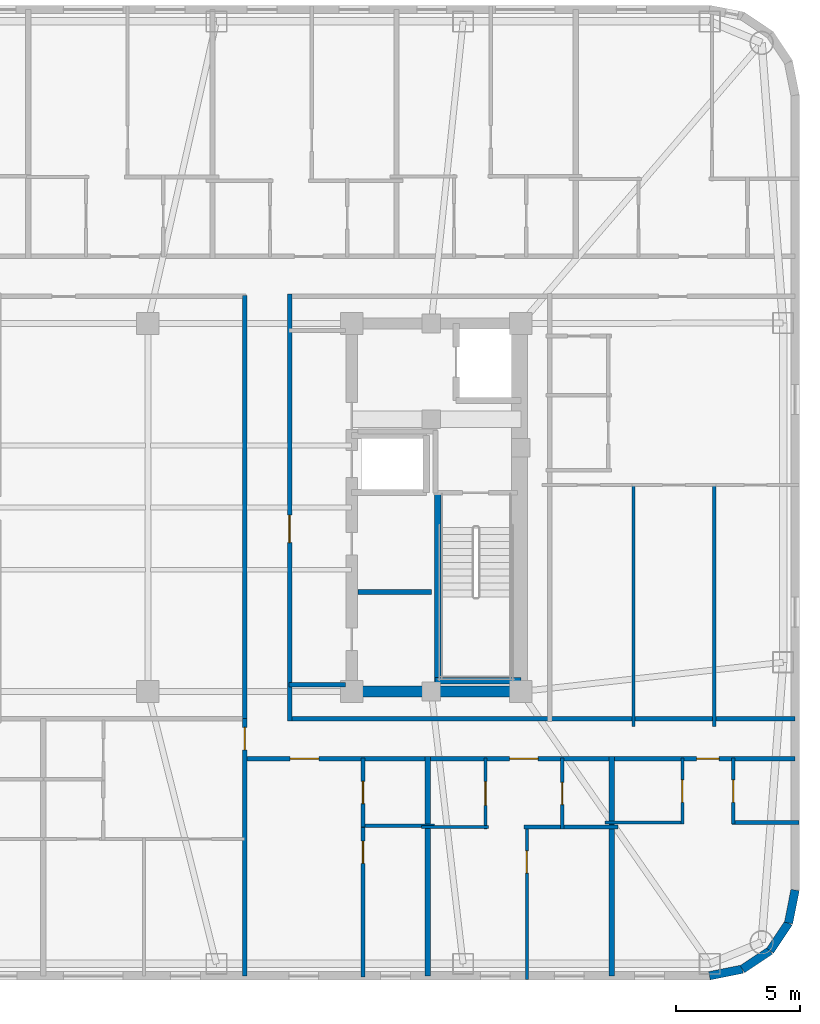
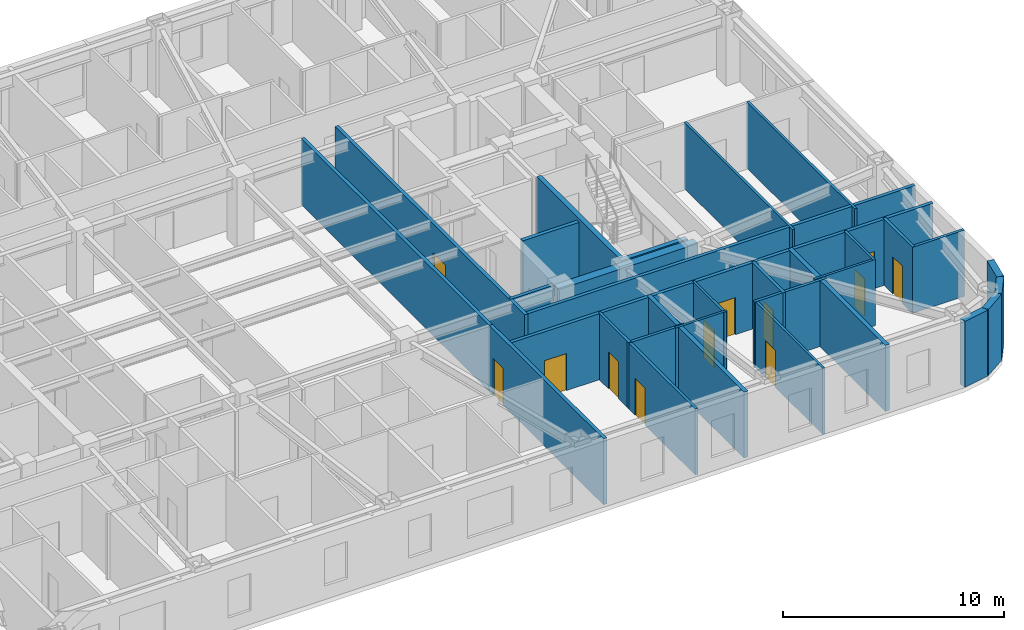
# One storey, part 6 of 11: 30 walls, 12 doors, 12 openings.
"""IFC4 building model written with IfcOpenShell, lengths in metres."""

from ifc_helpers import new_model, si_unit, direction, frame, frame_2d, origin, place, context, subcontext, project, spatial, rectangle, extrude, material, layer, layer_set, type_object, element, fill, save


model = new_model("IFC4")

# Units and contexts
model_context = context("Model", 3, precision=1e-05, world=origin(), true_north=direction((0.0, 1.0)))
body_context = subcontext(model_context, "Body", "Model", "MODEL_VIEW")
ifc_project = project(units=[si_unit("LENGTHUNIT", "METRE"), si_unit("AREAUNIT", "SQUARE_METRE"), si_unit("VOLUMEUNIT", "CUBIC_METRE"), si_unit("PLANEANGLEUNIT", "RADIAN"), si_unit("MASSUNIT", "GRAM", prefix="KILO")], contexts=[model_context])

# Site, building, storey
site_placement = place(None, origin())
site = spatial("IfcSite", under=ifc_project, at=site_placement, CompositionType="ELEMENT")
building_placement = place(site_placement, origin())
building = spatial("IfcBuilding", under=site, at=building_placement, Name="Voryun Gate Residences", CompositionType="ELEMENT")
storey_placement = place(building_placement, frame((0.0, 0.0, 235.300048828125)))
storey = spatial("IfcBuildingStorey", under=building, at=storey_placement, Name="L58", CompositionType="ELEMENT", Elevation=235.300048828125)

# Walls
ifc_material_1 = material(Name="Concrete C50/60", Category="concrete")
ifc_layer_1 = layer(ifc_material_1, 0.449951171875, Name="CW_CORE_450")
ifc_layer_set_1 = layer_set([ifc_layer_1], Name="Concrete C50/60")
wall_type_1 = type_object("IfcWallType", Name="CW_CORE_450", PredefinedType="SHEAR", material=ifc_layer_set_1)
wall_1_placement = place(storey_placement, frame((12.175048828125, -7.39990234375, 0.0), z_axis=(0.0, 0.0, 1.0), x_axis=(1.0, 0.0, 0.0)))
element("IfcWall", 1, at=wall_1_placement, inside=storey, type_object=wall_type_1, Name="L58 Core shear wall CW-L58-ES", PredefinedType="SHEAR", context=body_context, shape_type="SweptSolid", body=[
    extrude(rectangle(XDim=7.25, YDim=0.449951171875, at=frame_2d((3.625, 0.0))), origin(), (0.0, 0.0, 1.0), 3.64990234375),
])
ifc_material_2 = material(Name="Gypsum acoustic fireboard")
ifc_layer_2 = layer(ifc_material_2, 0.179931640625, Name="W_CORR_RATED_180")
ifc_layer_set_2 = layer_set([ifc_layer_2], Name="Gypsum acoustic fireboard")
wall_type_2 = type_object("IfcWallType", Name="W_CORR_RATED_180", PredefinedType="PARTITIONING", material=ifc_layer_set_2)
wall_2_placement = place(storey_placement, frame((9.8798828125, -7.1201171875, 0.0), z_axis=(0.0, 0.0, 1.0), x_axis=(1.0, 0.0, 0.0)))
element("IfcWall", 2, at=wall_2_placement, inside=storey, type_object=wall_type_2, Name="Partition wall WP-L58-PLBS-E", PredefinedType="PARTITIONING", context=body_context, shape_type="SweptSolid", body=[
    extrude(rectangle(XDim=2.27001953125, YDim=0.179931640625, at=frame_2d((1.135009765625, 0.0))), origin(), (0.0, 0.0, 1.0), 3.64990234375),
])

# Wall, opening, door
wall_3_placement = place(storey_placement, frame((9.89990234375, -8.580078125, 0.0), z_axis=(0.0, 0.0, 1.0), x_axis=(0.0, 1.0, 0.0)))
wall_3 = element("IfcWall", 3, at=wall_3_placement, inside=storey, type_object=wall_type_2, Name="Partition wall WP-L58-PLBE-FULL", PredefinedType="PARTITIONING", context=body_context, shape_type="SweptSolid", body=[
    extrude(rectangle(XDim=17.16015625, YDim=0.179931640625, at=frame_2d((8.580078125, 0.0))), origin(), (0.0, 0.0, 1.0), 3.64990234375),
])
opening_1_placement = place(wall_3_placement, frame((7.172119140625, 0.0, 0.0)))
opening_1 = element("IfcOpeningElement", 4, at=opening_1_placement, cuts=wall_3, Name="Opening D-FD60-2", PredefinedType="OPENING", context=body_context, shape_type="SweptSolid", body=[
    extrude(rectangle(XDim=1.10009765625, YDim=2.050048828125, at=frame_2d((0.550048828125, 1.02490234375))), frame((0.0, 0.099853515625, 0.0), z_axis=(0.0, -1.0, 0.0), x_axis=(1.0, 0.0, 0.0)), (0.0, 0.0, 1.0), 0.199951171875),
])
ifc_material_3 = material(Name="Painted steel fire door", Category="steel")
door_type_1 = type_object("IfcDoorType", Name="DR_FD60_FFLOB_1100", OperationType="NOTDEFINED", PredefinedType="DOOR", material=ifc_material_3)
door_1_placement = place(opening_1_placement, origin())
door_1 = element("IfcDoor", 5, at=door_1_placement, inside=storey, type_object=door_type_1, Name="Door DR-L58-PLBE-COR", OperationType="SINGLE_SWING_RIGHT", OverallHeight=2.050048828125, OverallWidth=1.10009765625, PredefinedType="DOOR", context=body_context, shape_type="SweptSolid", body=[
    extrude(rectangle(XDim=1.10009765625, YDim=2.050048828125, at=frame_2d((0.550048828125, 1.02490234375))), frame((0.0, 0.02490234375, 0.0), z_axis=(0.0, -1.0, 0.0), x_axis=(1.0, 0.0, 0.0)), (0.0, 0.0, 1.0), 0.050048828125),
])
fill(opening_1, door_1)

# Walls
wall_4_placement = place(storey_placement, frame((9.8798828125, -8.489990234375, 0.0), z_axis=(0.0, 0.0, 1.0), x_axis=(1.0, 0.0, 0.0)))
element("IfcWall", 6, at=wall_4_placement, inside=storey, type_object=wall_type_2, Name="Partition wall WP-L58-CWING-ES", PredefinedType="PARTITIONING", context=body_context, shape_type="SweptSolid", body=[
    extrude(rectangle(XDim=20.35009765625, YDim=0.179931640625, at=frame_2d((10.175048828125, 0.0))), origin(), (0.0, 0.0, 1.0), 3.64990234375),
])
wall_5_placement = place(storey_placement, frame((8.10009765625, -8.530029296875, 0.0), z_axis=(0.0, 0.0, 1.0), x_axis=(0.0, 1.0, 0.0)))
element("IfcWall", 7, at=wall_5_placement, inside=storey, type_object=wall_type_2, Name="Partition wall WP-L58-Z3E", PredefinedType="PARTITIONING", context=body_context, shape_type="SweptSolid", body=[
    extrude(rectangle(XDim=17.06005859375, YDim=0.179931640625, at=frame_2d((8.530029296875, 0.0))), origin(), (0.0, 0.0, 1.0), 3.64990234375),
])

# Wall, openings, doors
wall_6_placement = place(storey_placement, frame((8.080078125, -10.10009765625, 0.0), z_axis=(0.0, 0.0, 1.0), x_axis=(1.0, 0.0, 0.0)))
wall_6 = element("IfcWall", 8, at=wall_6_placement, inside=storey, type_object=wall_type_2, Name="Partition wall WP-L58-SCORR-E", PredefinedType="PARTITIONING", context=body_context, shape_type="SweptSolid", body=[
    extrude(rectangle(XDim=22.14990234375, YDim=0.179931640625, at=frame_2d((11.074951171875, 0.0))), origin(), (0.0, 0.0, 1.0), 3.64990234375),
])
opening_2_placement = place(wall_6_placement, frame((1.84375, 0.0, 0.0)))
opening_2 = element("IfcOpeningElement", 9, at=opening_2_placement, cuts=wall_6, Name="Opening D-UNIT-1", PredefinedType="OPENING", context=body_context, shape_type="SweptSolid", body=[
    extrude(rectangle(XDim=1.14990234375, YDim=2.050048828125, at=frame_2d((0.574951171875, 1.02490234375))), frame((0.0, 0.099853515625, 0.0), z_axis=(0.0, -1.0, 0.0), x_axis=(1.0, 0.0, 0.0)), (0.0, 0.0, 1.0), 0.199951171875),
])
opening_3_placement = place(wall_6_placement, frame((10.668212890625, 0.0, 0.0)))
opening_3 = element("IfcOpeningElement", 10, at=opening_3_placement, cuts=wall_6, Name="Opening D-UNIT-1", PredefinedType="OPENING", context=body_context, shape_type="SweptSolid", body=[
    extrude(rectangle(XDim=1.14990234375, YDim=2.050048828125, at=frame_2d((0.574951171875, 1.02490234375))), frame((0.0, 0.099853515625, 0.0), z_axis=(0.0, -1.0, 0.0), x_axis=(1.0, 0.0, 0.0)), (0.0, 0.0, 1.0), 0.199951171875),
])
opening_4_placement = place(wall_6_placement, frame((18.19140625, 0.0, 0.0)))
opening_4 = element("IfcOpeningElement", 11, at=opening_4_placement, cuts=wall_6, Name="Opening D-INT-2", PredefinedType="OPENING", context=body_context, shape_type="SweptSolid", body=[
    extrude(rectangle(XDim=0.89990234375, YDim=2.050048828125, at=frame_2d((0.449951171875, 1.02490234375))), frame((0.0, 0.099853515625, 0.0), z_axis=(0.0, -1.0, 0.0), x_axis=(1.0, 0.0, 0.0)), (0.0, 0.0, 1.0), 0.199951171875),
])
ifc_material_4 = material(Name="Architectural oak veneer")
door_type_2 = type_object("IfcDoorType", Name="DR_INT_BATH_900", OperationType="NOTDEFINED", PredefinedType="DOOR", material=ifc_material_4)
door_2_placement = place(opening_4_placement, origin())
door_2 = element("IfcDoor", 12, at=door_2_placement, inside=storey, type_object=door_type_2, Name="Door DR-L58-SENT-7", OperationType="SINGLE_SWING_RIGHT", OverallHeight=2.050048828125, OverallWidth=0.89990234375, PredefinedType="DOOR", context=body_context, shape_type="SweptSolid", body=[
    extrude(rectangle(XDim=0.89990234375, YDim=2.050048828125, at=frame_2d((0.449951171875, 1.02490234375))), frame((0.0, 0.02490234375, 0.0), z_axis=(0.0, -1.0, 0.0), x_axis=(1.0, 0.0, 0.0)), (0.0, 0.0, 1.0), 0.050048828125),
])
fill(opening_4, door_2)
ifc_material_5 = material(Name="Armoured timber-clad fire door", Category="wood")
door_type_3 = type_object("IfcDoorType", Name="DR_UNIT_ENTRY_1150", OperationType="NOTDEFINED", PredefinedType="DOOR", material=ifc_material_5)
door_3_placement = place(opening_2_placement, origin())
door_3 = element("IfcDoor", 13, at=door_3_placement, inside=storey, type_object=door_type_3, Name="Door DR-L58-SENT-5", OperationType="SINGLE_SWING_RIGHT", OverallHeight=2.050048828125, OverallWidth=1.14990234375, PredefinedType="DOOR", context=body_context, shape_type="SweptSolid", body=[
    extrude(rectangle(XDim=1.14990234375, YDim=2.050048828125, at=frame_2d((0.574951171875, 1.02490234375))), frame((0.0, 0.02490234375, 0.0), z_axis=(0.0, -1.0, 0.0), x_axis=(1.0, 0.0, 0.0)), (0.0, 0.0, 1.0), 0.050048828125),
])
fill(opening_2, door_3)
door_4_placement = place(opening_3_placement, origin())
door_4 = element("IfcDoor", 14, at=door_4_placement, inside=storey, type_object=door_type_3, Name="Door DR-L58-SENT-6", OperationType="SINGLE_SWING_LEFT", OverallHeight=2.050048828125, OverallWidth=1.14990234375, PredefinedType="DOOR", context=body_context, shape_type="SweptSolid", body=[
    extrude(rectangle(XDim=1.14990234375, YDim=2.050048828125, at=frame_2d((0.574951171875, 1.02490234375))), frame((0.0, 0.02490234375, 0.0), z_axis=(0.0, -1.0, 0.0), x_axis=(1.0, 0.0, 0.0)), (0.0, 0.0, 1.0), 0.050048828125),
])
fill(opening_3, door_4)

# Wall, opening, door
wall_7_placement = place(storey_placement, frame((8.10009765625, -18.830078125, 0.0), z_axis=(0.0, 0.0, 1.0), x_axis=(0.0, 1.0, 0.0)))
wall_7 = element("IfcWall", 15, at=wall_7_placement, inside=storey, type_object=wall_type_2, Name="Partition wall WP-L58-SZV-2", PredefinedType="PARTITIONING", context=body_context, shape_type="SweptSolid", body=[
    extrude(rectangle(XDim=10.340087890625, YDim=0.179931640625, at=frame_2d((5.169921875, 0.0))), origin(), (0.0, 0.0, 1.0), 3.64990234375),
])
opening_5_placement = place(wall_7_placement, frame((9.089599609375, 0.0, 0.0)))
opening_5 = element("IfcOpeningElement", 16, at=opening_5_placement, cuts=wall_7, Name="Opening D-INT-2", PredefinedType="OPENING", context=body_context, shape_type="SweptSolid", body=[
    extrude(rectangle(XDim=0.89990234375, YDim=2.050048828125, at=frame_2d((0.449951171875, 1.02490234375))), frame((0.0, 0.099853515625, 0.0), z_axis=(0.0, -1.0, 0.0), x_axis=(1.0, 0.0, 0.0)), (0.0, 0.0, 1.0), 0.199951171875),
])
door_5_placement = place(opening_5_placement, origin())
door_5 = element("IfcDoor", 17, at=door_5_placement, inside=storey, type_object=door_type_2, Name="Door DR-L58-SZENT-2", OperationType="SINGLE_SWING_RIGHT", OverallHeight=2.050048828125, OverallWidth=0.89990234375, PredefinedType="DOOR", context=body_context, shape_type="SweptSolid", body=[
    extrude(rectangle(XDim=0.89990234375, YDim=2.050048828125, at=frame_2d((0.449951171875, 1.02490234375))), frame((0.0, 0.02490234375, 0.0), z_axis=(0.0, -1.0, 0.0), x_axis=(1.0, 0.0, 0.0)), (0.0, 0.0, 1.0), 0.050048828125),
])
fill(opening_5, door_5)

# Walls
ifc_material_6 = material(Name="Charcoal terracotta masonry", Category="masonry")
ifc_layer_3 = layer(ifc_material_6, 0.340087890625, Name="W_EXT_TERRACOTTA_340")
ifc_layer_set_3 = layer_set([ifc_layer_3], Name="Charcoal terracotta masonry")
wall_type_3 = type_object("IfcWallType", Name="W_EXT_TERRACOTTA_340", PredefinedType="ELEMENTEDWALL", material=ifc_layer_set_3)
wall_8_placement = place(storey_placement, frame((30.22998046875, -15.38330078125, 0.0), z_axis=(0.0, 0.0, 1.0), x_axis=(-0.195110379894, -0.98078129043, 0.0)))
element("IfcWall", 18, at=wall_8_placement, inside=storey, type_object=wall_type_3, Name="Exterior wall WEXT-L58-17", PredefinedType="ELEMENTEDWALL", context=body_context, shape_type="SweptSolid", body=[
    extrude(rectangle(XDim=1.35400390625, YDim=0.340087890625, at=frame_2d((0.677001953125, 0.0))), origin(), (0.0, 0.0, 1.0), 3.64990234375),
])
wall_9_placement = place(storey_placement, frame((29.9658203125, -16.711181640625, 0.0), z_axis=(0.0, 0.0, 1.0), x_axis=(-0.555584683399, -0.831459956686, 0.0)))
element("IfcWall", 19, at=wall_9_placement, inside=storey, type_object=wall_type_3, Name="Exterior wall WEXT-L58-18", PredefinedType="ELEMENTEDWALL", context=body_context, shape_type="SweptSolid", body=[
    extrude(rectangle(XDim=1.337158203125, YDim=0.340087890625, at=frame_2d((0.66845703125, 0.0))), origin(), (0.0, 0.0, 1.0), 3.64990234375),
])
wall_10_placement = place(storey_placement, frame((29.222900390625, -17.822998046875, 0.0), z_axis=(0.0, 0.0, 1.0), x_axis=(-0.831403586725, -0.555669034571, 0.0)))
element("IfcWall", 20, at=wall_10_placement, inside=storey, type_object=wall_type_3, Name="Exterior wall WEXT-L58-19", PredefinedType="ELEMENTEDWALL", context=body_context, shape_type="SweptSolid", body=[
    extrude(rectangle(XDim=1.3369140625, YDim=0.340087890625, at=frame_2d((0.66845703125, 0.0))), origin(), (0.0, 0.0, 1.0), 3.64990234375),
])
wall_11_placement = place(storey_placement, frame((28.111328125, -18.56591796875, 0.0), z_axis=(0.0, 0.0, 1.0), x_axis=(-0.980788153188, -0.195075878998, 0.0)))
element("IfcWall", 21, at=wall_11_placement, inside=storey, type_object=wall_type_3, Name="Exterior wall WEXT-L58-20", PredefinedType="ELEMENTEDWALL", context=body_context, shape_type="SweptSolid", body=[
    extrude(rectangle(XDim=1.354248046875, YDim=0.340087890625, at=frame_2d((0.67724609375, 0.0))), origin(), (0.0, 0.0, 1.0), 3.64990234375),
])
ifc_material_7 = material(Name="Concrete C40/50", Category="concrete")
ifc_layer_4 = layer(ifc_material_7, 0.199951171875, Name="W_FF_LOBBY_200")
ifc_layer_set_4 = layer_set([ifc_layer_4], Name="Concrete C40/50")
wall_type_4 = type_object("IfcWallType", Name="W_FF_LOBBY_200", PredefinedType="PARTITIONING", material=ifc_layer_set_4)
wall_12_placement = place(storey_placement, frame((12.659912109375, -3.389892578125, 0.0), z_axis=(0.0, 0.0, 1.0), x_axis=(1.0, 0.0, 0.0)))
element("IfcWall", 22, at=wall_12_placement, inside=storey, type_object=wall_type_4, Name="Partition wall WP-L58-RECEY-HI", PredefinedType="PARTITIONING", context=body_context, shape_type="SweptSolid", body=[
    extrude(rectangle(XDim=2.940185546875, YDim=0.199951171875, at=frame_2d((1.47021484375, 0.0))), origin(), (0.0, 0.0, 1.0), 3.64990234375),
])
ifc_material_8 = material(Name="Concrete C40/50", Category="concrete")
ifc_layer_5 = layer(ifc_material_8, 0.219970703125, Name="W_PARTY_ACOUSTIC_220")
ifc_layer_set_5 = layer_set([ifc_layer_5], Name="Concrete C40/50")
wall_type_5 = type_object("IfcWallType", Name="W_PARTY_ACOUSTIC_220", PredefinedType="PARTITIONING", material=ifc_layer_set_5)
for number, where, z_axis, x_axis, name in (
    (23, (15.466064453125, -18.830078125, 0.0), (0.0, 0.0, 1.0), (0.0, 1.0, 0.0), "Partition wall WP-L58-SPTY-5"),
    (24, (22.85107421875, -18.830078125, 0.0), (0.0, 0.0, 1.0), (0.0, 1.0, 0.0), "Partition wall WP-L58-SPTY-6"),
):
    element("IfcWall", number, at=place(storey_placement, frame(where, z_axis=z_axis, x_axis=x_axis)), inside=storey, type_object=wall_type_5, Name=name, PredefinedType="PARTITIONING", context=body_context, shape_type="SweptSolid", body=[
        extrude(rectangle(XDim=8.81005859375, YDim=0.219970703125, at=frame_2d((4.405029296875, 0.0))), origin(), (0.0, 0.0, 1.0), 3.64990234375),
    ])
ifc_material_9 = material(Name="Concrete C50/60", Category="concrete")
ifc_layer_6 = layer(ifc_material_9, 0.25, Name="W_SHAFT_RC250")
ifc_layer_set_6 = layer_set([ifc_layer_6], Name="Concrete C50/60")
wall_type_6 = type_object("IfcWallType", Name="W_SHAFT_RC250", PredefinedType="SOLIDWALL", material=ifc_layer_set_6)
wall_13_placement = place(storey_placement, frame((15.860107421875, -7.0849609375, 0.0), z_axis=(0.0, 0.0, 1.0), x_axis=(0.0, 1.0, 0.0)))
element("IfcWall", 25, at=wall_13_placement, inside=storey, type_object=wall_type_6, Name="L58 Stair shaft structural wall E-STL", PredefinedType="SOLIDWALL", context=body_context, shape_type="SweptSolid", body=[
    extrude(rectangle(XDim=7.68505859375, YDim=0.25, at=frame_2d((3.842529296875, 0.0))), origin(), (0.0, 0.0, 1.0), 3.64990234375),
])
wall_14_placement = place(storey_placement, frame((15.739990234375, -6.965087890625, 0.0), z_axis=(0.0, 0.0, 1.0), x_axis=(1.0, 0.0, 0.0)))
element("IfcWall", 26, at=wall_14_placement, inside=storey, type_object=wall_type_6, Name="L58 Stair shaft structural wall E-STS", PredefinedType="SOLIDWALL", context=body_context, shape_type="SweptSolid", body=[
    extrude(rectangle(XDim=3.4599609375, YDim=0.25, at=frame_2d((1.72998046875, 0.0))), origin(), (0.0, 0.0, 1.0), 3.64990234375),
])

# Wall, opening, door
ifc_material_10 = material(Name="Gypsum acoustic partition")
ifc_layer_7 = layer(ifc_material_10, 0.125, Name="W_UNIT_PART_125")
ifc_layer_set_7 = layer_set([ifc_layer_7], Name="Gypsum acoustic partition")
wall_type_7 = type_object("IfcWallType", Name="W_UNIT_PART_125", PredefinedType="PARTITIONING", material=ifc_layer_set_7)
wall_15_placement = place(storey_placement, frame((19.44091796875, -18.97998046875, 0.0), z_axis=(0.0, 0.0, 1.0), x_axis=(0.0, 1.0, 0.0)))
wall_15 = element("IfcWall", 27, at=wall_15_placement, inside=storey, type_object=wall_type_7, Name="Partition wall WP-L58-S6-OVR", PredefinedType="PARTITIONING", context=body_context, shape_type="SweptSolid", body=[
    extrude(rectangle(XDim=6.216064453125, YDim=0.125, at=frame_2d((3.10791015625, 0.0))), origin(), (0.0, 0.0, 1.0), 3.64990234375),
])
opening_6_placement = place(wall_15_placement, frame((4.274169921875, 0.0, 0.0)))
opening_6 = element("IfcOpeningElement", 28, at=opening_6_placement, cuts=wall_15, Name="Opening D-INT-2", PredefinedType="OPENING", context=body_context, shape_type="SweptSolid", body=[
    extrude(rectangle(XDim=0.89990234375, YDim=2.050048828125, at=frame_2d((0.449951171875, 1.02490234375))), frame((0.0, 0.072509765625, 0.0), z_axis=(0.0, -1.0, 0.0), x_axis=(1.0, 0.0, 0.0)), (0.0, 0.0, 1.0), 0.14501953125),
])
door_6_placement = place(opening_6_placement, origin())
door_6 = element("IfcDoor", 29, at=door_6_placement, inside=storey, type_object=door_type_2, Name="Door DR-L58-S6-DMB", OperationType="SINGLE_SWING_RIGHT", OverallHeight=2.050048828125, OverallWidth=0.89990234375, PredefinedType="DOOR", context=body_context, shape_type="SweptSolid", body=[
    extrude(rectangle(XDim=0.89990234375, YDim=2.050048828125, at=frame_2d((0.449951171875, 1.02490234375))), frame((0.0, 0.02490234375, 0.0), z_axis=(0.0, -1.0, 0.0), x_axis=(1.0, 0.0, 0.0)), (0.0, 0.0, 1.0), 0.050048828125),
])
fill(opening_6, door_6)

wall_16_placement = place(storey_placement, frame((17.77587890625, -12.924072265625, 0.0), z_axis=(0.0, 0.0, 1.0), x_axis=(0.0, 1.0, 0.0)))
wall_16 = element("IfcWall", 30, at=wall_16_placement, inside=storey, type_object=wall_type_7, Name="Partition wall WP-L58-S6-IVK", PredefinedType="PARTITIONING", context=body_context, shape_type="SweptSolid", body=[
    extrude(rectangle(XDim=2.843994140625, YDim=0.125, at=frame_2d((1.421875, 0.0))), origin(), (0.0, 0.0, 1.0), 3.64990234375),
])
opening_7_placement = place(wall_16_placement, frame((0.947021484375, 0.0, 0.0)))
opening_7 = element("IfcOpeningElement", 31, at=opening_7_placement, cuts=wall_16, Name="Opening D-INT-1", PredefinedType="OPENING", context=body_context, shape_type="SweptSolid", body=[
    extrude(rectangle(XDim=0.949951171875, YDim=2.050048828125, at=frame_2d((0.47509765625, 1.02490234375))), frame((0.0, 0.072509765625, 0.0), z_axis=(0.0, -1.0, 0.0), x_axis=(1.0, 0.0, 0.0)), (0.0, 0.0, 1.0), 0.14501953125),
])
ifc_material_11 = material(Name="Architectural oak veneer")
door_type_4 = type_object("IfcDoorType", Name="DR_INT_ROOM_950", OperationType="NOTDEFINED", PredefinedType="DOOR", material=ifc_material_11)
door_7_placement = place(opening_7_placement, origin())
door_7 = element("IfcDoor", 32, at=door_7_placement, inside=storey, type_object=door_type_4, Name="Door DR-L58-S6-DK", OperationType="SINGLE_SWING_LEFT", OverallHeight=2.050048828125, OverallWidth=0.949951171875, PredefinedType="DOOR", context=body_context, shape_type="SweptSolid", body=[
    extrude(rectangle(XDim=0.949951171875, YDim=2.050048828125, at=frame_2d((0.47509765625, 1.02490234375))), frame((0.0, 0.02490234375, 0.0), z_axis=(0.0, -1.0, 0.0), x_axis=(1.0, 0.0, 0.0)), (0.0, 0.0, 1.0), 0.050048828125),
])
fill(opening_7, door_7)

# Wall
wall_17_placement = place(storey_placement, frame((15.2060546875, -12.843994140625, 0.0), z_axis=(0.0, 0.0, 1.0), x_axis=(1.0, 0.0, 0.0)))
element("IfcWall", 33, at=wall_17_placement, inside=storey, type_object=wall_type_7, Name="Partition wall WP-L58-S6-HZK", PredefinedType="PARTITIONING", context=body_context, shape_type="SweptSolid", body=[
    extrude(rectangle(XDim=2.68994140625, YDim=0.125, at=frame_2d((1.344970703125, 0.0))), origin(), (0.0, 0.0, 1.0), 3.64990234375),
])

# Wall, opening, door
wall_18_placement = place(storey_placement, frame((25.695068359375, -12.72998046875, 0.0), z_axis=(0.0, 0.0, 1.0), x_axis=(0.0, 1.0, 0.0)))
wall_18 = element("IfcWall", 34, at=wall_18_placement, inside=storey, type_object=wall_type_7, Name="Partition wall WP-L58-S7-CVK", PredefinedType="PARTITIONING", context=body_context, shape_type="SweptSolid", body=[
    extrude(rectangle(XDim=2.64990234375, YDim=0.125, at=frame_2d((1.324951171875, 0.0))), origin(), (0.0, 0.0, 1.0), 3.64990234375),
])
opening_8_placement = place(wall_18_placement, frame((0.875, 0.0, 0.0)))
opening_8 = element("IfcOpeningElement", 35, at=opening_8_placement, cuts=wall_18, Name="Opening D-INT-2", PredefinedType="OPENING", context=body_context, shape_type="SweptSolid", body=[
    extrude(rectangle(XDim=0.89990234375, YDim=2.050048828125, at=frame_2d((0.449951171875, 1.02490234375))), frame((0.0, 0.072509765625, 0.0), z_axis=(0.0, -1.0, 0.0), x_axis=(1.0, 0.0, 0.0)), (0.0, 0.0, 1.0), 0.14501953125),
])
door_8_placement = place(opening_8_placement, origin())
door_8 = element("IfcDoor", 36, at=door_8_placement, inside=storey, type_object=door_type_2, Name="Door DR-L58-S7-DK", OperationType="SINGLE_SWING_LEFT", OverallHeight=2.050048828125, OverallWidth=0.89990234375, PredefinedType="DOOR", context=body_context, shape_type="SweptSolid", body=[
    extrude(rectangle(XDim=0.89990234375, YDim=2.050048828125, at=frame_2d((0.449951171875, 1.02490234375))), frame((0.0, 0.02490234375, 0.0), z_axis=(0.0, -1.0, 0.0), x_axis=(1.0, 0.0, 0.0)), (0.0, 0.0, 1.0), 0.050048828125),
])
fill(opening_8, door_8)

# Walls
wall_19_placement = place(storey_placement, frame((22.591064453125, -12.669921875, 0.0), z_axis=(0.0, 0.0, 1.0), x_axis=(1.0, 0.0, 0.0)))
element("IfcWall", 37, at=wall_19_placement, inside=storey, type_object=wall_type_7, Name="Partition wall WP-L58-S7-CHK", PredefinedType="PARTITIONING", context=body_context, shape_type="SweptSolid", body=[
    extrude(rectangle(XDim=3.163818359375, YDim=0.125, at=frame_2d((1.58203125, 0.0))), origin(), (0.0, 0.0, 1.0), 3.64990234375),
])
for number, where, z_axis, x_axis, name in (
    (38, (26.98095703125, -8.81005859375, 0.0), (0.0, 0.0, 1.0), (0.0, 1.0, 0.0), "Partition wall WP-L58-E1-VMB2"),
    (39, (23.72509765625, -8.81005859375, 0.0), (0.0, 0.0, 1.0), (0.0, 1.0, 0.0), "Partition wall WP-L58-E1-VMB"),
):
    element("IfcWall", number, at=place(storey_placement, frame(where, z_axis=z_axis, x_axis=x_axis)), inside=storey, type_object=wall_type_7, Name=name, PredefinedType="PARTITIONING", context=body_context, shape_type="SweptSolid", body=[
        extrude(rectangle(XDim=9.780029296875, YDim=0.125, at=frame_2d((4.89013671875, 0.0))), origin(), (0.0, 0.0, 1.0), 3.64990234375),
    ])
ifc_material_12 = material(Name="Gypsum moisture-resistant partition")
ifc_layer_8 = layer(ifc_material_12, 0.14990234375, Name="W_WET_PLUMB_150")
ifc_layer_set_8 = layer_set([ifc_layer_8], Name="Gypsum moisture-resistant partition")
wall_type_8 = type_object("IfcWallType", Name="W_WET_PLUMB_150", PredefinedType="PLUMBINGWALL", material=ifc_layer_set_8)
wall_20_placement = place(storey_placement, frame((12.77587890625, -12.800048828125, 0.0), z_axis=(0.0, 0.0, 1.0), x_axis=(1.0, 0.0, 0.0)))
element("IfcWall", 40, at=wall_20_placement, inside=storey, type_object=wall_type_8, Name="Partition wall WP-L58-S5-SKB", PredefinedType="PLUMBINGWALL", context=body_context, shape_type="SweptSolid", body=[
    extrude(rectangle(XDim=2.9501953125, YDim=0.14990234375, at=frame_2d((1.47509765625, 0.0))), origin(), (0.0, 0.0, 1.0), 3.64990234375),
])

# Wall, opening, door
wall_21_placement = place(storey_placement, frame((12.85595703125, -18.876708984375, 0.0), z_axis=(0.0, 0.0, 1.0), x_axis=(0.0, 1.0, 0.0)))
wall_21 = element("IfcWall", 41, at=wall_21_placement, inside=storey, type_object=wall_type_8, Name="Partition wall WP-L58-S5-SVT1", PredefinedType="PLUMBINGWALL", context=body_context, shape_type="SweptSolid", body=[
    extrude(rectangle(XDim=6.11669921875, YDim=0.14990234375, at=frame_2d((3.058349609375, 0.0))), origin(), (0.0, 0.0, 1.0), 3.64990234375),
])
opening_9_placement = place(wall_21_placement, frame((4.56591796875, 0.0, 0.0)))
opening_9 = element("IfcOpeningElement", 42, at=opening_9_placement, cuts=wall_21, Name="Opening D-INT-2", PredefinedType="OPENING", context=body_context, shape_type="SweptSolid", body=[
    extrude(rectangle(XDim=0.89990234375, YDim=2.050048828125, at=frame_2d((0.449951171875, 1.02490234375))), frame((0.0, 0.0849609375, 0.0), z_axis=(0.0, -1.0, 0.0), x_axis=(1.0, 0.0, 0.0)), (0.0, 0.0, 1.0), 0.169921875),
])
door_9_placement = place(opening_9_placement, origin())
door_9 = element("IfcDoor", 43, at=door_9_placement, inside=storey, type_object=door_type_2, Name="Door DR-L58-S5-DK", OperationType="SINGLE_SWING_LEFT", OverallHeight=2.050048828125, OverallWidth=0.89990234375, PredefinedType="DOOR", context=body_context, shape_type="SweptSolid", body=[
    extrude(rectangle(XDim=0.89990234375, YDim=2.050048828125, at=frame_2d((0.449951171875, 1.02490234375))), frame((0.0, 0.02490234375, 0.0), z_axis=(0.0, -1.0, 0.0), x_axis=(1.0, 0.0, 0.0)), (0.0, 0.0, 1.0), 0.050048828125),
])
fill(opening_9, door_9)

wall_22_placement = place(storey_placement, frame((12.85595703125, -12.840087890625, 0.0), z_axis=(0.0, 0.0, 1.0), x_axis=(0.0, 1.0, 0.0)))
wall_22 = element("IfcWall", 44, at=wall_22_placement, inside=storey, type_object=wall_type_8, Name="Partition wall WP-L58-S5-SVT2", PredefinedType="PLUMBINGWALL", context=body_context, shape_type="SweptSolid", body=[
    extrude(rectangle(XDim=2.760009765625, YDim=0.14990234375, at=frame_2d((1.3798828125, 0.0))), origin(), (0.0, 0.0, 1.0), 3.64990234375),
])
opening_10_placement = place(wall_22_placement, frame((0.929931640625, 0.0, 0.0)))
opening_10 = element("IfcOpeningElement", 45, at=opening_10_placement, cuts=wall_22, Name="Opening D-INT-2", PredefinedType="OPENING", context=body_context, shape_type="SweptSolid", body=[
    extrude(rectangle(XDim=0.89990234375, YDim=2.050048828125, at=frame_2d((0.449951171875, 1.02490234375))), frame((0.0, 0.0849609375, 0.0), z_axis=(0.0, -1.0, 0.0), x_axis=(1.0, 0.0, 0.0)), (0.0, 0.0, 1.0), 0.169921875),
])
door_10_placement = place(opening_10_placement, origin())
door_10 = element("IfcDoor", 46, at=door_10_placement, inside=storey, type_object=door_type_2, Name="Door DR-L58-S5-DB", OperationType="SINGLE_SWING_RIGHT", OverallHeight=2.050048828125, OverallWidth=0.89990234375, PredefinedType="DOOR", context=body_context, shape_type="SweptSolid", body=[
    extrude(rectangle(XDim=0.89990234375, YDim=2.050048828125, at=frame_2d((0.449951171875, 1.02490234375))), frame((0.0, 0.02490234375, 0.0), z_axis=(0.0, -1.0, 0.0), x_axis=(1.0, 0.0, 0.0)), (0.0, 0.0, 1.0), 0.050048828125),
])
fill(opening_10, door_10)

# Wall
wall_23_placement = place(storey_placement, frame((19.321044921875, -12.843994140625, 0.0), z_axis=(0.0, 0.0, 1.0), x_axis=(1.0, 0.0, 0.0)))
element("IfcWall", 47, at=wall_23_placement, inside=storey, type_object=wall_type_8, Name="Partition wall WP-L58-S6-HZB", PredefinedType="PLUMBINGWALL", context=body_context, shape_type="SweptSolid", body=[
    extrude(rectangle(XDim=3.7900390625, YDim=0.14990234375, at=frame_2d((1.89501953125, 0.0))), origin(), (0.0, 0.0, 1.0), 3.64990234375),
])

# Wall, opening, door
wall_24_placement = place(storey_placement, frame((20.87109375, -12.924072265625, 0.0), z_axis=(0.0, 0.0, 1.0), x_axis=(0.0, 1.0, 0.0)))
wall_24 = element("IfcWall", 48, at=wall_24_placement, inside=storey, type_object=wall_type_8, Name="Partition wall WP-L58-S6-IVB", PredefinedType="PLUMBINGWALL", context=body_context, shape_type="SweptSolid", body=[
    extrude(rectangle(XDim=2.843994140625, YDim=0.14990234375, at=frame_2d((1.421875, 0.0))), origin(), (0.0, 0.0, 1.0), 3.64990234375),
])
opening_11_placement = place(wall_24_placement, frame((0.971923828125, 0.0, 0.0)))
opening_11 = element("IfcOpeningElement", 49, at=opening_11_placement, cuts=wall_24, Name="Opening D-INT-2", PredefinedType="OPENING", context=body_context, shape_type="SweptSolid", body=[
    extrude(rectangle(XDim=0.89990234375, YDim=2.050048828125, at=frame_2d((0.449951171875, 1.02490234375))), frame((0.0, 0.0849609375, 0.0), z_axis=(0.0, -1.0, 0.0), x_axis=(1.0, 0.0, 0.0)), (0.0, 0.0, 1.0), 0.169921875),
])
door_11_placement = place(opening_11_placement, origin())
door_11 = element("IfcDoor", 50, at=door_11_placement, inside=storey, type_object=door_type_2, Name="Door DR-L58-S6-DB", OperationType="SINGLE_SWING_RIGHT", OverallHeight=2.050048828125, OverallWidth=0.89990234375, PredefinedType="DOOR", context=body_context, shape_type="SweptSolid", body=[
    extrude(rectangle(XDim=0.89990234375, YDim=2.050048828125, at=frame_2d((0.449951171875, 1.02490234375))), frame((0.0, 0.02490234375, 0.0), z_axis=(0.0, -1.0, 0.0), x_axis=(1.0, 0.0, 0.0)), (0.0, 0.0, 1.0), 0.050048828125),
])
fill(opening_11, door_11)

wall_25_placement = place(storey_placement, frame((27.74609375, -12.72998046875, 0.0), z_axis=(0.0, 0.0, 1.0), x_axis=(0.0, 1.0, 0.0)))
wall_25 = element("IfcWall", 51, at=wall_25_placement, inside=storey, type_object=wall_type_8, Name="Partition wall WP-L58-S7-CVB", PredefinedType="PLUMBINGWALL", context=body_context, shape_type="SweptSolid", body=[
    extrude(rectangle(XDim=2.64990234375, YDim=0.14990234375, at=frame_2d((1.324951171875, 0.0))), origin(), (0.0, 0.0, 1.0), 3.64990234375),
])
opening_12_placement = place(wall_25_placement, frame((0.875, 0.0, 0.0)))
opening_12 = element("IfcOpeningElement", 52, at=opening_12_placement, cuts=wall_25, Name="Opening D-INT-2", PredefinedType="OPENING", context=body_context, shape_type="SweptSolid", body=[
    extrude(rectangle(XDim=0.89990234375, YDim=2.050048828125, at=frame_2d((0.449951171875, 1.02490234375))), frame((0.0, 0.0849609375, 0.0), z_axis=(0.0, -1.0, 0.0), x_axis=(1.0, 0.0, 0.0)), (0.0, 0.0, 1.0), 0.169921875),
])
door_12_placement = place(opening_12_placement, origin())
door_12 = element("IfcDoor", 53, at=door_12_placement, inside=storey, type_object=door_type_2, Name="Door DR-L58-S7-DB", OperationType="SINGLE_SWING_RIGHT", OverallHeight=2.050048828125, OverallWidth=0.89990234375, PredefinedType="DOOR", context=body_context, shape_type="SweptSolid", body=[
    extrude(rectangle(XDim=0.89990234375, YDim=2.050048828125, at=frame_2d((0.449951171875, 1.02490234375))), frame((0.0, 0.02490234375, 0.0), z_axis=(0.0, -1.0, 0.0), x_axis=(1.0, 0.0, 0.0)), (0.0, 0.0, 1.0), 0.050048828125),
])
fill(opening_12, door_12)

# Wall
wall_26_placement = place(storey_placement, frame((27.68603515625, -12.669921875, 0.0), z_axis=(0.0, 0.0, 1.0), x_axis=(1.0, 0.0, 0.0)))
element("IfcWall", 54, at=wall_26_placement, inside=storey, type_object=wall_type_8, Name="Partition wall WP-L58-S7-CHB", PredefinedType="PLUMBINGWALL", context=body_context, shape_type="SweptSolid", body=[
    extrude(rectangle(XDim=2.69384765625, YDim=0.14990234375, at=frame_2d((1.346923828125, 0.0))), origin(), (0.0, 0.0, 1.0), 3.64990234375),
])

save(model, "model.ifc")
